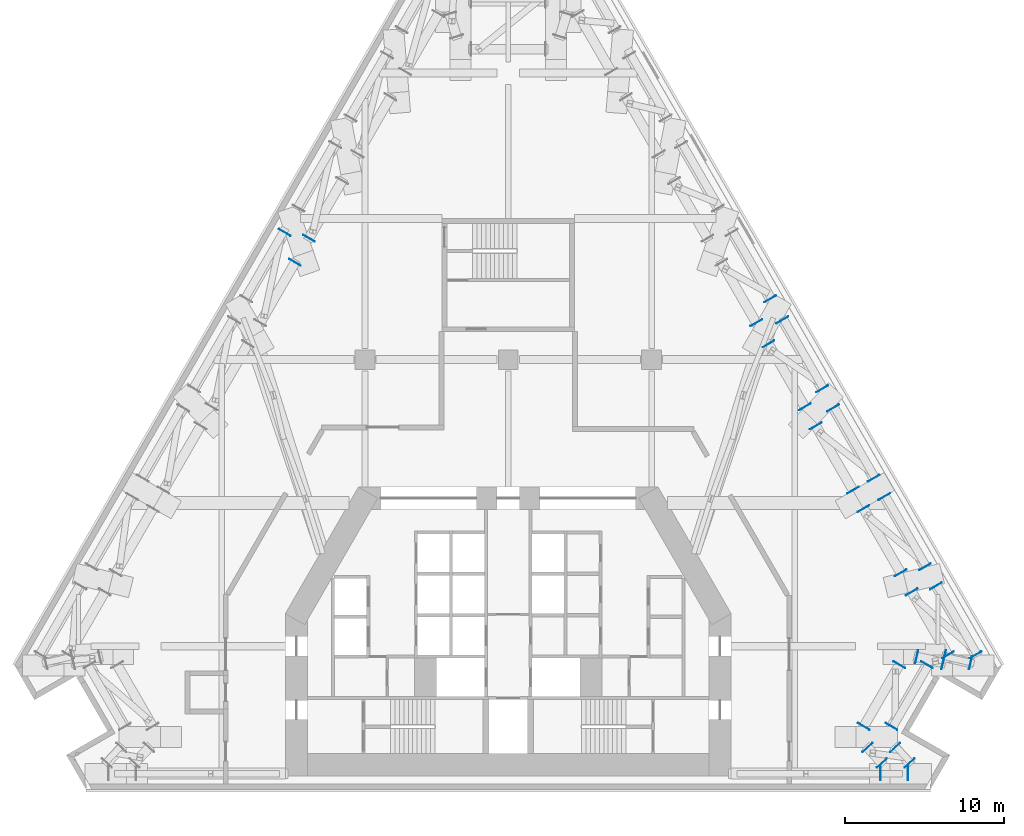
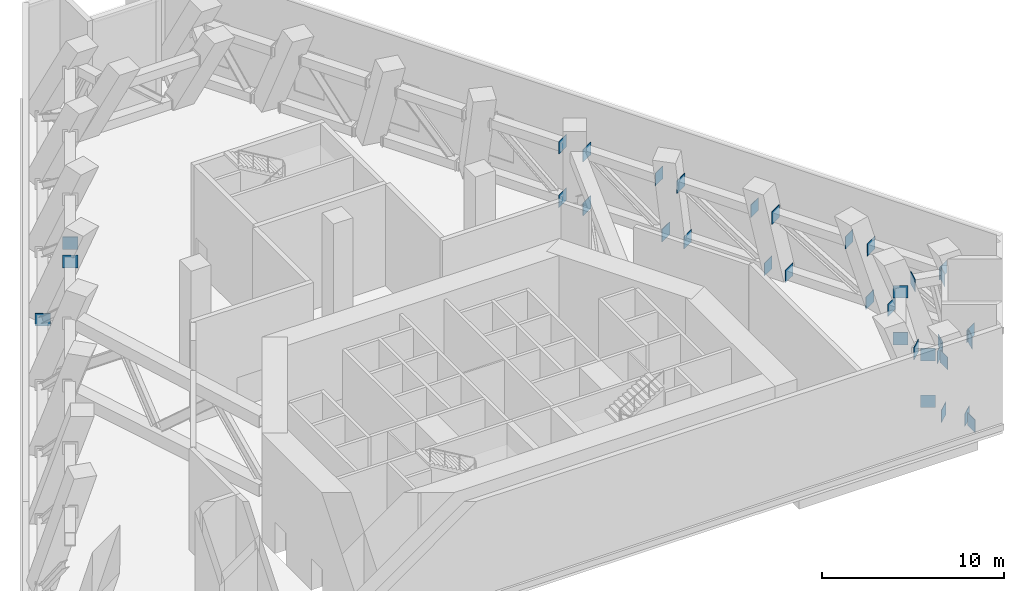
# One storey, part 10 of 12: 35 discrete accessories.
"""IFC4 building model written with IfcOpenShell, lengths in metres."""

from ifc_helpers import new_model, si_unit, direction, frame, origin, origin_2d, place, context, subcontext, project, spatial, rectangle, extrude, material, layer, layer_set, type_object, element, save


model = new_model("IFC4")

# Units and contexts
model_context = context("Model", 3, precision=1e-05, world=origin(), true_north=direction((0.0, 1.0)))
body_context = subcontext(model_context, "Body", "Model", "MODEL_VIEW")
ifc_project = project(units=[si_unit("LENGTHUNIT", "METRE"), si_unit("AREAUNIT", "SQUARE_METRE"), si_unit("VOLUMEUNIT", "CUBIC_METRE"), si_unit("PLANEANGLEUNIT", "RADIAN"), si_unit("MASSUNIT", "GRAM", prefix="KILO")], contexts=[model_context])

# Site, building, storey
site_placement = place(None, origin())
site = spatial("IfcSite", under=ifc_project, at=site_placement, CompositionType="ELEMENT")
building_placement = place(site_placement, origin())
building = spatial("IfcBuilding", under=site, at=building_placement, Name="Fogline Exchange Tower", CompositionType="ELEMENT")
storey_placement = place(building_placement, frame((0.0, 0.0, 88.89990234375)))
storey = spatial("IfcBuildingStorey", under=building, at=storey_placement, Name="L19", CompositionType="ELEMENT", Elevation=88.89990234375)

# Discrete accessories
ifc_material = material(Name="Steel Q355B", Category="steel")
ifc_layer = layer(ifc_material, 0.030029296875)
ifc_layer_set = layer_set([ifc_layer], Name="BE01")
discrete_accessory_type = type_object("IfcDiscreteAccessoryType", Name="BE01", PredefinedType="USERDEFINED", material=ifc_layer_set)
for number, where, z_axis, x_axis, name in (
    (1, (25.1181640625, 1.0, -0.1201171875), (0.0, 0.0, 1.0), (1.0, 0.0, 0.0), "Belt truss chord end plate BT4-2-BC"),
    (2, (23.38037109375, 1.0, 4.68017578125), (0.0, 0.0, 1.0), (1.0, 0.0, 0.0), "Belt truss chord end plate BT4-2-TC"),
    (3, (25.210205078125, 1.660888671875, -0.1201171875), (0.0, 0.0, 1.0), (0.68078095751, -0.732487056467, 0.0), "Belt truss chord end plate BT5-1-BC"),
    (4, (24.302001953125, 2.63818359375, -0.1201171875), (0.0, 0.0, 1.0), (-0.68078095751, 0.732487056467, 0.0), "Belt truss chord end plate BT5-1-BC"),
    (5, (23.472412109375, 1.660888671875, 4.68017578125), (0.0, 0.0, 1.0), (0.68078095751, -0.732487056467, 0.0), "Belt truss chord end plate BT5-1-TC"),
    (6, (22.564208984375, 2.63818359375, 4.68017578125), (0.0, 0.0, 1.0), (-0.68078095751, 0.732487056467, 0.0), "Belt truss chord end plate BT5-1-TC"),
    (7, (24.070556640625, 3.9619140625, -0.1201171875), (0.0, 0.0, 1.0), (-0.5, -0.866025403784, 0.0), "Belt truss chord end plate BT6-1-BC"),
    (8, (26.304931640625, 7.832275390625, -0.1201171875), (0.0, 0.0, 1.0), (0.5, 0.866025403784, 0.0), "Belt truss chord end plate BT6-1-BC"),
    (9, (22.332763671875, 3.9619140625, 4.68017578125), (0.0, 0.0, 1.0), (-0.5, -0.866025403784, 0.0), "Belt truss chord end plate BT6-1-TC"),
    (10, (24.567138671875, 7.832275390625, 4.68017578125), (0.0, 0.0, 1.0), (0.5, 0.866025403784, 0.0), "Belt truss chord end plate BT6-1-TC"),
    (11, (27.3935546875, 8.33349609375, -0.1201171875), (0.0, 0.0, 1.0), (-0.974742877599, 0.223330075383, 0.0), "Belt truss chord end plate BT7-1-BC"),
    (12, (29.041259765625, 7.9560546875, -0.1201171875), (0.0, 0.0, 1.0), (0.974742877599, -0.223330075383, 0.0), "Belt truss chord end plate BT7-1-BC"),
    (13, (25.65576171875, 8.33349609375, 4.68017578125), (0.0, 0.0, 1.0), (-0.974742877599, 0.223330075383, 0.0), "Belt truss chord end plate BT7-1-TC"),
    (14, (27.303466796875, 7.9560546875, 4.68017578125), (0.0, 0.0, 1.0), (0.974742877599, -0.223330075383, 0.0), "Belt truss chord end plate BT7-1-TC"),
    (15, (29.3642578125, 8.457275390625, -0.1201171875), (0.0, 0.0, 1.0), (0.5, -0.866025403784, 0.0), "Belt truss chord end plate BT8-1-BC"),
    (16, (26.86474609375, 12.78662109375, -0.1201171875), (0.0, 0.0, 1.0), (-0.5, 0.866025403784, 0.0), "Belt truss chord end plate BT8-1-BC"),
    (17, (27.62646484375, 8.457275390625, 4.68017578125), (0.0, 0.0, 1.0), (0.5, -0.866025403784, 0.0), "Belt truss chord end plate BT8-1-TC"),
    (18, (25.34423828125, 12.41015625, 4.68017578125), (0.0, 0.0, 1.0), (-0.5, 0.866025403784, 0.0), "Belt truss chord end plate BT8-1-TC"),
    (19, (26.17333984375, 13.984375, -0.1201171875), (0.0, 0.0, 1.0), (0.5, -0.866025403784, 0.0), "Belt truss chord end plate BT9-1-BC"),
    (20, (23.62353515625, 18.400634765625, -0.1201171875), (0.0, 0.0, 1.0), (-0.5, 0.866025403784, 0.0), "Belt truss chord end plate BT9-1-BC"),
    (21, (24.652587890625, 13.60791015625, 4.68017578125), (0.0, 0.0, 1.0), (0.5, -0.866025403784, 0.0), "Belt truss chord end plate BT9-1-TC"),
    (22, (22.320068359375, 17.648193359375, 4.68017578125), (0.0, 0.0, 1.0), (-0.5, 0.866025403784, 0.0), "Belt truss chord end plate BT9-1-TC"),
    (23, (22.95849609375, 19.552490234375, -0.1201171875), (0.0, 0.0, 1.0), (0.5, -0.866025403784, 0.0), "Belt truss chord end plate BT10-1-BC"),
    (24, (20.40869140625, 23.96875, -0.1201171875), (0.0, 0.0, 1.0), (-0.5, 0.866025403784, 0.0), "Belt truss chord end plate BT10-1-BC"),
    (25, (21.655029296875, 18.800048828125, 4.68017578125), (0.0, 0.0, 1.0), (0.5, -0.866025403784, 0.0), "Belt truss chord end plate BT10-1-TC"),
    (26, (19.322509765625, 22.840087890625, 4.68017578125), (0.0, 0.0, 1.0), (-0.5, 0.866025403784, 0.0), "Belt truss chord end plate BT10-1-TC"),
    (27, (19.71728515625, 25.16650390625, -0.1201171875), (0.0, 0.0, 1.0), (0.5, -0.866025403784, 0.0), "Belt truss chord end plate BT11-1-BC"),
    (28, (17.2177734375, 29.495849609375, -0.1201171875), (0.0, 0.0, 1.0), (-0.5, 0.866025403784, 0.0), "Belt truss chord end plate BT11-1-BC"),
    (29, (18.631103515625, 24.037841796875, 4.68017578125), (0.0, 0.0, 1.0), (0.5, -0.866025403784, 0.0), "Belt truss chord end plate BT11-1-TC"),
    (30, (16.348876953125, 27.990966796875, 4.68017578125), (0.0, 0.0, 1.0), (-0.5, 0.866025403784, 0.0), "Belt truss chord end plate BT11-1-TC"),
    (31, (16.4521484375, 30.822021484375, -0.1201171875), (0.0, 0.0, 1.0), (0.5, -0.866025403784, 0.0), "Belt truss chord end plate BT12-1-BC"),
    (32, (15.583251953125, 29.31689453125, 4.68017578125), (0.0, 0.0, 1.0), (0.5, -0.866025403784, 0.0), "Belt truss chord end plate BT12-1-TC"),
    (33, (-12.517578125, 34.62646484375, 4.68017578125), (0.0, 0.0, 1.0), (-0.5, -0.866025403784, 0.0), "Belt truss chord end plate BT21-1-TC"),
    (34, (-14.044189453125, 34.992431640625, -0.1201171875), (0.0, 0.0, 1.0), (0.5, 0.866025403784, 0.0), "Belt truss chord end plate BT22-1-BC"),
    (35, (-13.392578125, 33.111083984375, 4.68017578125), (0.0, 0.0, 1.0), (0.5, 0.866025403784, 0.0), "Belt truss chord end plate BT22-1-TC"),
):
    element("IfcDiscreteAccessory", number, at=place(storey_placement, frame(where, z_axis=z_axis, x_axis=x_axis)), inside=storey, type_object=discrete_accessory_type, Name=name, ObjectType="END PLATE", PredefinedType="USERDEFINED", context=body_context, shape_type="SweptSolid", body=[
        extrude(rectangle(XDim=0.030029296875, YDim=0.840087890625, at=origin_2d()), origin(), (0.0, 0.0, 1.0), 0.840087890625),
    ])

save(model, "model.ifc")
